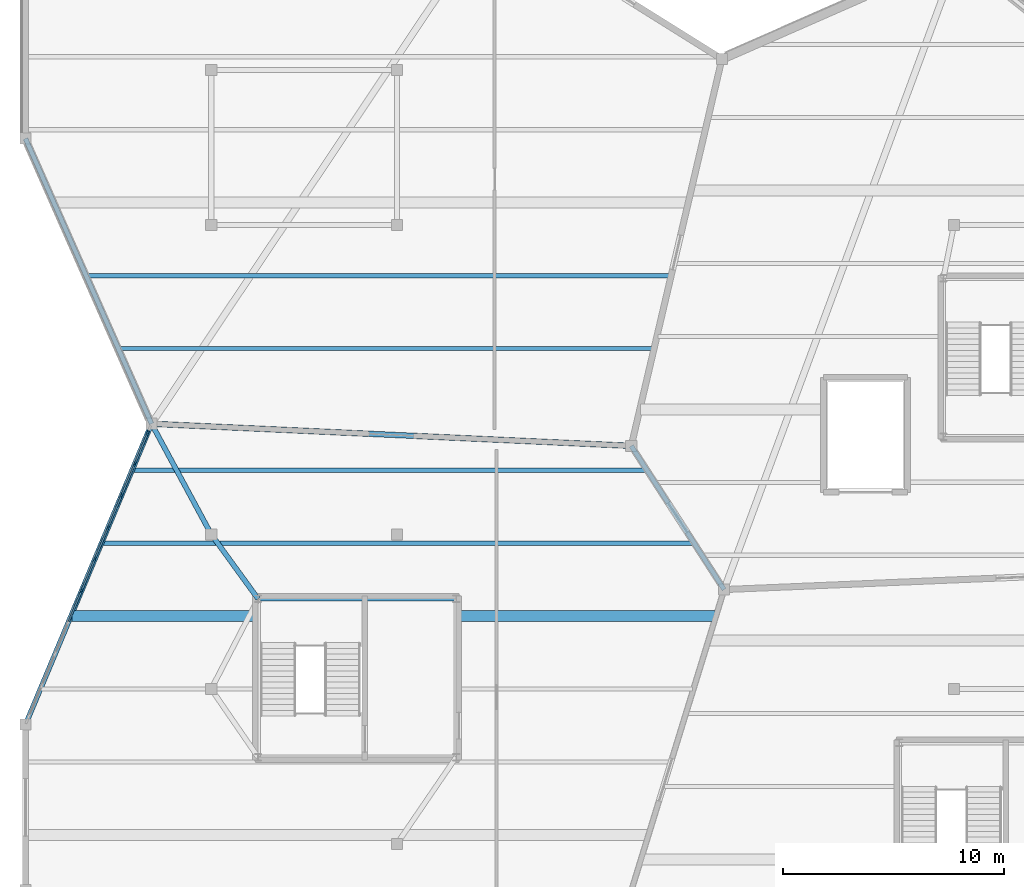
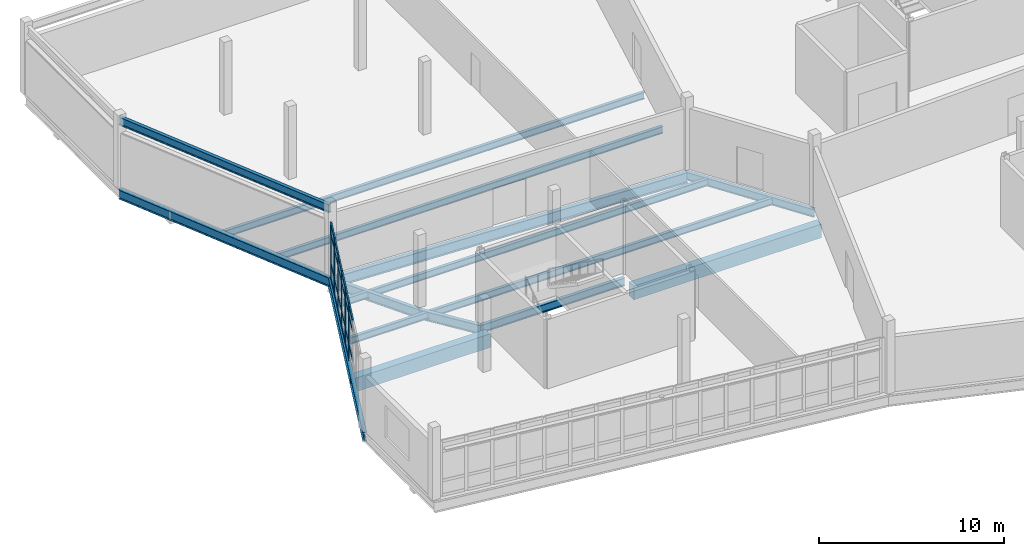
# One storey, part 53 of 134: 29 members, 14 beams, 1 element without a shape of its own.
"""IFC4 building model written with IfcOpenShell, lengths in metres."""

from ifc_helpers import new_model, si_unit, direction, frame, origin, origin_2d, place, context, subcontext, project, spatial, rectangle, i_section, extrude, material, material_profile, profile_set, type_object, element, aggregate, save


model = new_model("IFC4")

# Units and contexts
model_context = context("Model", 3, precision=1e-05, world=origin(), true_north=direction((0.0, 1.0)))
body_context = subcontext(model_context, "Body", "Model", "MODEL_VIEW")
ifc_project = project(units=[si_unit("LENGTHUNIT", "METRE"), si_unit("AREAUNIT", "SQUARE_METRE"), si_unit("VOLUMEUNIT", "CUBIC_METRE"), si_unit("PLANEANGLEUNIT", "RADIAN"), si_unit("MASSUNIT", "GRAM", prefix="KILO")], contexts=[model_context])

# Site, building, storey
site_placement = place(None, origin())
site = spatial("IfcSite", under=ifc_project, at=site_placement, CompositionType="ELEMENT")
building_placement = place(site_placement, origin())
building = spatial("IfcBuilding", under=site, at=building_placement, Name="Tameran Prism Museum", CompositionType="ELEMENT")
storey_placement = place(building_placement, frame((0.0, 0.0, 5.39990234375)))
storey = spatial("IfcBuildingStorey", under=building, at=storey_placement, Name="L01", CompositionType="ELEMENT", Elevation=5.39990234375)

# Beams
ifc_material_1 = material(Name="Steel Grade 300PLUS (300 MPa)", Category="steel")
ifc_material_profile_1 = material_profile(ifc_material_1, i_section(OverallWidth=0.19091796875, OverallDepth=0.4599609375, WebThickness=0.010009765625, FlangeThickness=0.01611328125, FilletRadius=0.011474609375, at=origin_2d()))
ifc_profile_set_1 = profile_set([ifc_material_profile_1])
beam_type_1 = type_object("IfcBeamType", Name="BM-J460A", PredefinedType="JOIST", material=ifc_profile_set_1)
beam_1_placement = place(storey_placement, frame((3.47998046875, 83.60009765625, -0.489990234375), z_axis=(1.0, 0.0, 0.0), x_axis=(0.0, 1.0, 0.0)))
element("IfcBeam", 1, at=beam_1_placement, inside=storey, type_object=beam_type_1, Name="Floor Beam BM-0639", PredefinedType="JOIST", context=body_context, shape_type="SweptSolid", body=[
    extrude(i_section(OverallWidth=0.19091796875, OverallDepth=0.4599609375, WebThickness=0.010009765625, FlangeThickness=0.01611328125, FilletRadius=0.011474609375, at=origin_2d()), origin(), (0.0, 0.0, 1.0), 26.715087890625),
])
beam_2_placement = place(storey_placement, frame((4.863037109375, 86.89990234375, -0.489990234375), z_axis=(1.0, 0.0, 0.0), x_axis=(0.0, 1.0, 0.0)))
element("IfcBeam", 2, at=beam_2_placement, inside=storey, type_object=beam_type_1, Name="Floor Beam BM-0640", PredefinedType="JOIST", context=body_context, shape_type="SweptSolid", body=[
    extrude(i_section(OverallWidth=0.19091796875, OverallDepth=0.4599609375, WebThickness=0.010009765625, FlangeThickness=0.01611328125, FilletRadius=0.011474609375, at=origin_2d()), origin(), (0.0, 0.0, 1.0), 23.199951171875),
])
beam_3_placement = place(storey_placement, frame((4.240966796875, 92.39990234375, -0.489990234375), z_axis=(1.0, 0.0, 0.0), x_axis=(0.0, 1.0, 0.0)))
element("IfcBeam", 3, at=beam_3_placement, inside=storey, type_object=beam_type_1, Name="Floor Beam BM-0641", PredefinedType="JOIST", context=body_context, shape_type="SweptSolid", body=[
    extrude(i_section(OverallWidth=0.19091796875, OverallDepth=0.4599609375, WebThickness=0.010009765625, FlangeThickness=0.01611328125, FilletRadius=0.011474609375, at=origin_2d()), origin(), (0.0, 0.0, 1.0), 24.14892578125),
])
beam_4_placement = place(storey_placement, frame((2.782958984375, 95.699951171875, -0.489990234375), z_axis=(1.0, 0.0, 0.0), x_axis=(0.0, 1.0, 0.0)))
element("IfcBeam", 4, at=beam_4_placement, inside=storey, type_object=beam_type_1, Name="Floor Beam BM-0642", PredefinedType="JOIST", context=body_context, shape_type="SweptSolid", body=[
    extrude(i_section(OverallWidth=0.19091796875, OverallDepth=0.4599609375, WebThickness=0.010009765625, FlangeThickness=0.01611328125, FilletRadius=0.011474609375, at=origin_2d()), origin(), (0.0, 0.0, 1.0), 26.380126953125),
])
ifc_material_2 = material(Name="Concrete N40 (40 MPa)", Category="concrete")
ifc_material_profile_2 = material_profile(ifc_material_2, rectangle(XDim=0.5, YDim=0.89990234375, at=origin_2d()))
ifc_profile_set_2 = profile_set([ifc_material_profile_2])
beam_type_2 = type_object("IfcBeamType", Name="BM-RC900", PredefinedType="BEAM", material=ifc_profile_set_2)
beam_5_placement = place(storey_placement, frame((2.096923828125, 80.300048828125, -0.7099609375), z_axis=(1.0, 0.0, 0.0), x_axis=(0.0, 1.0, 0.0)))
element("IfcBeam", 5, at=beam_5_placement, inside=storey, type_object=beam_type_2, Name="Floor Beam BM-0637", PredefinedType="BEAM", context=body_context, shape_type="SweptSolid", body=[
    extrude(rectangle(XDim=0.5, YDim=0.89990234375, at=origin_2d()), origin(), (0.0, 0.0, 1.0), 8.423095703125),
])
beam_6_placement = place(storey_placement, frame((19.47998046875, 80.300048828125, -0.7099609375), z_axis=(1.0, 0.0, 0.0), x_axis=(0.0, 1.0, 0.0)))
element("IfcBeam", 6, at=beam_6_placement, inside=storey, type_object=beam_type_2, Name="Floor Beam BM-0638", PredefinedType="BEAM", context=body_context, shape_type="SweptSolid", body=[
    extrude(rectangle(XDim=0.5, YDim=0.89990234375, at=origin_2d()), origin(), (0.0, 0.0, 1.0), 11.7080078125),
])
ifc_material_3 = material(Name="Steel Grade 300PLUS (300 MPa)", Category="steel")
ifc_material_profile_3 = material_profile(ifc_material_3, i_section(OverallWidth=0.208984375, OverallDepth=0.528076171875, WebThickness=0.009521484375, FlangeThickness=0.01318359375, FilletRadius=0.013916015625, at=origin_2d()))
ifc_profile_set_3 = profile_set([ifc_material_profile_3])
beam_type_3 = type_object("IfcBeamType", Name="BM-SP530B", PredefinedType="SPANDREL", material=ifc_profile_set_3)
beam_7_placement = place(storey_placement, frame((27.39990234375, 88.0, -0.52392578125), z_axis=(0.542733189748, -0.839905164138, 0.0), x_axis=(0.839905164138, 0.542733189748, 0.0)))
element("IfcBeam", 7, at=beam_7_placement, inside=storey, type_object=beam_type_3, Name="Perimeter Spandrel SP-0419", PredefinedType="SPANDREL", context=body_context, shape_type="SweptSolid", body=[
    extrude(i_section(OverallWidth=0.208984375, OverallDepth=0.528076171875, WebThickness=0.009521484375, FlangeThickness=0.01318359375, FilletRadius=0.013916015625, at=origin_2d()), origin(), (0.0, 0.0, 1.0), 7.739013671875),
])
beam_8_placement = place(storey_placement, frame((0.0, 101.89990234375, 4.2861328125), z_axis=(0.404163511498, -0.914686752924, 0.0), x_axis=(0.914686752924, 0.404163511498, 0.0)))
element("IfcBeam", 8, at=beam_8_placement, inside=storey, type_object=beam_type_3, Name="Roof Ring Beam RB-0432", PredefinedType="SPANDREL", context=body_context, shape_type="SweptSolid", body=[
    extrude(i_section(OverallWidth=0.208984375, OverallDepth=0.528076171875, WebThickness=0.009521484375, FlangeThickness=0.01318359375, FilletRadius=0.013916015625, at=origin_2d()), origin(), (0.0, 0.0, 1.0), 14.10302734375),
])
beam_9_placement = place(storey_placement, frame((19.47998046875, 81.080078125, -0.52392578125), z_axis=(-1.0, 0.0, 0.0), x_axis=(0.0, -1.0, 0.0)))
element("IfcBeam", 9, at=beam_9_placement, inside=storey, type_object=beam_type_3, Name="Core Ring Beam CTB-0472", PredefinedType="SPANDREL", context=body_context, shape_type="SweptSolid", body=[
    extrude(i_section(OverallWidth=0.208984375, OverallDepth=0.528076171875, WebThickness=0.009521484375, FlangeThickness=0.01318359375, FilletRadius=0.013916015625, at=origin_2d()), origin(), (0.0, 0.0, 1.0), 8.9599609375),
])
ifc_material_4 = material(Name="Steel Grade 300PLUS (300 MPa)", Category="steel")
ifc_material_profile_4 = material_profile(ifc_material_4, i_section(OverallWidth=0.22802734375, OverallDepth=0.60205078125, WebThickness=0.010498046875, FlangeThickness=0.014892578125, FilletRadius=0.013916015625, at=origin_2d()))
ifc_profile_set_4 = profile_set([ifc_material_profile_4])
beam_type_4 = type_object("IfcBeamType", Name="BM-SP610", PredefinedType="SPANDREL", material=ifc_profile_set_4)
beam_10_placement = place(storey_placement, frame((5.699951171875, 89.0, -0.560791015625), z_axis=(-0.386535452216, -0.922274549242, 0.0), x_axis=(0.922274549242, -0.386535452216, 0.0)))
element("IfcBeam", 10, at=beam_10_placement, inside=storey, type_object=beam_type_4, Name="Perimeter Spandrel SP-0424", PredefinedType="SPANDREL", context=body_context, shape_type="SweptSolid", body=[
    extrude(i_section(OverallWidth=0.22802734375, OverallDepth=0.60205078125, WebThickness=0.010498046875, FlangeThickness=0.014892578125, FilletRadius=0.013916015625, at=origin_2d()), origin(), (0.0, 0.0, 1.0), 14.746337890625),
])
beam_11_placement = place(storey_placement, frame((0.0, 101.89990234375, -0.560791015625), z_axis=(0.404163511498, -0.914686752924, 0.0), x_axis=(0.914686752924, 0.404163511498, 0.0)))
element("IfcBeam", 11, at=beam_11_placement, inside=storey, type_object=beam_type_4, Name="Perimeter Spandrel SP-0428", PredefinedType="SPANDREL", context=body_context, shape_type="SweptSolid", body=[
    extrude(i_section(OverallWidth=0.22802734375, OverallDepth=0.60205078125, WebThickness=0.010498046875, FlangeThickness=0.014892578125, FilletRadius=0.013916015625, at=origin_2d()), origin(), (0.0, 0.0, 1.0), 14.10302734375),
])
ifc_material_5 = material(Name="Steel Grade 350 (350 MPa)", Category="steel")
ifc_material_profile_5 = material_profile(ifc_material_5, i_section(OverallWidth=0.25, OverallDepth=0.699951171875, WebThickness=0.010009765625, FlangeThickness=0.02001953125, at=origin_2d()))
ifc_profile_set_5 = profile_set([ifc_material_profile_5])
beam_type_5 = type_object("IfcBeamType", Name="BM-SP700", PredefinedType="SPANDREL", material=ifc_profile_set_5)
beam_12_placement = place(storey_placement, frame((27.39990234375, 88.0, -0.60986328125), z_axis=(-0.998939864331, 0.046034198714, 0.0), x_axis=(-0.046034198714, -0.998939864331, 0.0)))
element("IfcBeam", 12, at=beam_12_placement, inside=storey, type_object=beam_type_5, Name="Perimeter Spandrel SP-0423", PredefinedType="SPANDREL", context=body_context, shape_type="SweptSolid", body=[
    extrude(i_section(OverallWidth=0.25, OverallDepth=0.699951171875, WebThickness=0.010009765625, FlangeThickness=0.02001953125, at=origin_2d()), origin(), (0.0, 0.0, 1.0), 21.722900390625),
])
ifc_material_6 = material(Name="Steel Grade 300PLUS (300 MPa)", Category="steel")
ifc_material_profile_6 = material_profile(ifc_material_6, i_section(OverallWidth=0.22900390625, OverallDepth=0.612060546875, WebThickness=0.011962890625, FlangeThickness=0.01953125, FilletRadius=0.013916015625, at=origin_2d()))
ifc_profile_set_6 = profile_set([ifc_material_profile_6])
beam_type_6 = type_object("IfcBeamType", Name="BM-UB610A", PredefinedType="BEAM", material=ifc_profile_set_6)
beam_13_placement = place(storey_placement, frame((8.39990234375, 84.0, -0.56591796875), z_axis=(0.58754394492, -0.809192259471, 0.0), x_axis=(0.809192259471, 0.58754394492, 0.0)))
element("IfcBeam", 13, at=beam_13_placement, inside=storey, type_object=beam_type_6, Name="Frame Tie Girder FG-1351", PredefinedType="BEAM", context=body_context, shape_type="SweptSolid", body=[
    extrude(i_section(OverallWidth=0.22900390625, OverallDepth=0.612060546875, WebThickness=0.011962890625, FlangeThickness=0.01953125, FilletRadius=0.013916015625, at=origin_2d()), origin(), (0.0, 0.0, 1.0), 3.6083984375),
])
beam_14_placement = place(storey_placement, frame((8.39990234375, 84.0, -0.56591796875), z_axis=(-0.47514226184, 0.879908990188, 0.0), x_axis=(-0.879908990188, -0.47514226184, 0.0)))
element("IfcBeam", 14, at=beam_14_placement, inside=storey, type_object=beam_type_6, Name="Frame Tie Girder FG-1352", PredefinedType="BEAM", context=body_context, shape_type="SweptSolid", body=[
    extrude(i_section(OverallWidth=0.22900390625, OverallDepth=0.612060546875, WebThickness=0.011962890625, FlangeThickness=0.01953125, FilletRadius=0.013916015625, at=origin_2d()), origin(), (0.0, 0.0, 1.0), 5.682373046875),
])

# Curtain wall, members
ifc_material_7 = material(Name="Anodised Aluminium 6063-T6 and Cyclone Solar Glass", Category="aluminium")
curtain_wall_type = type_object("IfcCurtainWallType", Name="CW-FAC-1399x362", PredefinedType="USERDEFINED", material=ifc_material_7)
curtain_wall_placement = place(storey_placement, origin())
curtain_wall = element("IfcCurtainWall", 15, at=curtain_wall_placement, inside=storey, type_object=curtain_wall_type, Name="Unitised Curtain Wall CW-094", ObjectType="UNITISED CURTAIN WALL", PredefinedType="USERDEFINED")
ifc_material_8 = material(Name="Anodised Aluminium Alloy 6063-T6", Category="aluminium")
ifc_material_profile_7 = material_profile(ifc_material_8, rectangle(XDim=0.080078125, YDim=0.219970703125, at=origin_2d()))
ifc_profile_set_7 = profile_set([ifc_material_profile_7])
member_type_1 = type_object("IfcMemberType", Name="CW-MUL-D", PredefinedType="MULLION", material=ifc_profile_set_7)
member_1_placement = place(storey_placement, frame((2.5380859375, 81.455810546875, 0.0), z_axis=(0.0, 0.0, 1.0), x_axis=(-0.922251949595, 0.386589370609, 0.0)))
member_1 = element("IfcMember", 16, at=member_1_placement, type_object=member_type_1, Name="CW-094 mullion 5", PredefinedType="MULLION", context=body_context, shape_type="SweptSolid", body=[
    extrude(rectangle(XDim=0.080078125, YDim=0.219970703125, at=origin_2d()), origin(), (0.0, 0.0, 1.0), 3.6201171875),
])
member_2_placement = place(storey_placement, frame((3.138916015625, 82.88916015625, 0.0), z_axis=(0.0, 0.0, 1.0), x_axis=(-0.922251949595, 0.386589370609, 0.0)))
member_2 = element("IfcMember", 17, at=member_2_placement, type_object=member_type_1, Name="CW-094 mullion 6", PredefinedType="MULLION", context=body_context, shape_type="SweptSolid", body=[
    extrude(rectangle(XDim=0.080078125, YDim=0.219970703125, at=origin_2d()), origin(), (0.0, 0.0, 1.0), 3.6201171875),
])
member_3_placement = place(storey_placement, frame((3.73974609375, 84.322265625, 0.0), z_axis=(0.0, 0.0, 1.0), x_axis=(-0.922251949595, 0.386589370609, 0.0)))
member_3 = element("IfcMember", 18, at=member_3_placement, type_object=member_type_1, Name="CW-094 mullion 7", PredefinedType="MULLION", context=body_context, shape_type="SweptSolid", body=[
    extrude(rectangle(XDim=0.080078125, YDim=0.219970703125, at=origin_2d()), origin(), (0.0, 0.0, 1.0), 3.6201171875),
])
member_4_placement = place(storey_placement, frame((4.34033203125, 85.755615234375, 0.0), z_axis=(0.0, 0.0, 1.0), x_axis=(-0.922251949595, 0.386589370609, 0.0)))
member_4 = element("IfcMember", 19, at=member_4_placement, type_object=member_type_1, Name="CW-094 mullion 8", PredefinedType="MULLION", context=body_context, shape_type="SweptSolid", body=[
    extrude(rectangle(XDim=0.080078125, YDim=0.219970703125, at=origin_2d()), origin(), (0.0, 0.0, 1.0), 3.6201171875),
])
member_5_placement = place(storey_placement, frame((4.941162109375, 87.188720703125, 0.0), z_axis=(0.0, 0.0, 1.0), x_axis=(-0.922251949595, 0.386589370609, 0.0)))
member_5 = element("IfcMember", 20, at=member_5_placement, type_object=member_type_1, Name="CW-094 mullion 9", PredefinedType="MULLION", context=body_context, shape_type="SweptSolid", body=[
    extrude(rectangle(XDim=0.080078125, YDim=0.219970703125, at=origin_2d()), origin(), (0.0, 0.0, 1.0), 3.6201171875),
])
member_6_placement = place(storey_placement, frame((5.526611328125, 88.585205078125, 0.0), z_axis=(0.0, 0.0, 1.0), x_axis=(-0.922251949595, 0.386589370609, 0.0)))
member_6 = element("IfcMember", 21, at=member_6_placement, type_object=member_type_1, Name="CW-094 mullion 10", PredefinedType="MULLION", context=body_context, shape_type="SweptSolid", body=[
    extrude(rectangle(XDim=0.080078125, YDim=0.219970703125, at=origin_2d()), origin(), (0.0, 0.0, 1.0), 3.6201171875),
])
ifc_material_9 = material(Name="Anodised Aluminium Alloy 6063-T6", Category="aluminium")
ifc_material_profile_8 = material_profile(ifc_material_9, rectangle(XDim=0.080078125, YDim=0.195068359375, at=origin_2d()))
ifc_profile_set_8 = profile_set([ifc_material_profile_8])
member_type_2 = type_object("IfcMemberType", Name="CW-TRN-D", PredefinedType="USERDEFINED", material=ifc_profile_set_8)
member_7_placement = place(storey_placement, frame((1.952880859375, 80.0595703125, 1.0), z_axis=(0.386590353567, 0.922251537558, 0.0), x_axis=(-0.922251537558, 0.386590353567, 0.0)))
member_7 = element("IfcMember", 22, at=member_7_placement, type_object=member_type_2, Name="CW-094 transom 4.2", ObjectType="TRANSOM", PredefinedType="USERDEFINED", context=body_context, shape_type="SweptSolid", body=[
    extrude(rectangle(XDim=0.080078125, YDim=0.195068359375, at=origin_2d()), origin(), (0.0, 0.0, 1.0), 1.473876953125),
])
member_8_placement = place(storey_placement, frame((1.952880859375, 80.0595703125, 2.940185546875), z_axis=(0.386590353567, 0.922251537558, 0.0), x_axis=(-0.922251537558, 0.386590353567, 0.0)))
member_8 = element("IfcMember", 23, at=member_8_placement, type_object=member_type_2, Name="CW-094 transom 4.3", ObjectType="TRANSOM", PredefinedType="USERDEFINED", context=body_context, shape_type="SweptSolid", body=[
    extrude(rectangle(XDim=0.080078125, YDim=0.195068359375, at=origin_2d()), origin(), (0.0, 0.0, 1.0), 1.473876953125),
])
member_9_placement = place(storey_placement, frame((1.952880859375, 80.0595703125, 3.580078125), z_axis=(0.386590353567, 0.922251537558, 0.0), x_axis=(-0.922251537558, 0.386590353567, 0.0)))
member_9 = element("IfcMember", 24, at=member_9_placement, type_object=member_type_2, Name="CW-094 transom 4.4", ObjectType="TRANSOM", PredefinedType="USERDEFINED", context=body_context, shape_type="SweptSolid", body=[
    extrude(rectangle(XDim=0.080078125, YDim=0.195068359375, at=origin_2d()), origin(), (0.0, 0.0, 1.0), 1.473876953125),
])
member_10_placement = place(storey_placement, frame((2.553466796875, 81.49267578125, 0.0400390625), z_axis=(0.38667216001, 0.922217241583, 0.0), x_axis=(-0.922217241583, 0.38667216001, 0.0)))
member_10 = element("IfcMember", 25, at=member_10_placement, type_object=member_type_2, Name="CW-094 transom 5.1", ObjectType="TRANSOM", PredefinedType="USERDEFINED", context=body_context, shape_type="SweptSolid", body=[
    extrude(rectangle(XDim=0.080078125, YDim=0.195068359375, at=origin_2d()), origin(), (0.0, 0.0, 1.0), 1.474365234375),
])
member_11_placement = place(storey_placement, frame((2.553466796875, 81.49267578125, 1.0), z_axis=(0.38667216001, 0.922217241583, 0.0), x_axis=(-0.922217241583, 0.38667216001, 0.0)))
member_11 = element("IfcMember", 26, at=member_11_placement, type_object=member_type_2, Name="CW-094 transom 5.2", ObjectType="TRANSOM", PredefinedType="USERDEFINED", context=body_context, shape_type="SweptSolid", body=[
    extrude(rectangle(XDim=0.080078125, YDim=0.195068359375, at=origin_2d()), origin(), (0.0, 0.0, 1.0), 1.474365234375),
])
member_12_placement = place(storey_placement, frame((2.553466796875, 81.49267578125, 2.940185546875), z_axis=(0.38667216001, 0.922217241583, 0.0), x_axis=(-0.922217241583, 0.38667216001, 0.0)))
member_12 = element("IfcMember", 27, at=member_12_placement, type_object=member_type_2, Name="CW-094 transom 5.3", ObjectType="TRANSOM", PredefinedType="USERDEFINED", context=body_context, shape_type="SweptSolid", body=[
    extrude(rectangle(XDim=0.080078125, YDim=0.195068359375, at=origin_2d()), origin(), (0.0, 0.0, 1.0), 1.474365234375),
])
member_13_placement = place(storey_placement, frame((2.553466796875, 81.49267578125, 3.580078125), z_axis=(0.38667216001, 0.922217241583, 0.0), x_axis=(-0.922217241583, 0.38667216001, 0.0)))
member_13 = element("IfcMember", 28, at=member_13_placement, type_object=member_type_2, Name="CW-094 transom 5.4", ObjectType="TRANSOM", PredefinedType="USERDEFINED", context=body_context, shape_type="SweptSolid", body=[
    extrude(rectangle(XDim=0.080078125, YDim=0.195068359375, at=origin_2d()), origin(), (0.0, 0.0, 1.0), 1.474365234375),
])
member_14_placement = place(storey_placement, frame((3.154296875, 82.926025390625, 0.0400390625), z_axis=(0.386590353567, 0.922251537558, 0.0), x_axis=(-0.922251537558, 0.386590353567, 0.0)))
member_14 = element("IfcMember", 29, at=member_14_placement, type_object=member_type_2, Name="CW-094 transom 6.1", ObjectType="TRANSOM", PredefinedType="USERDEFINED", context=body_context, shape_type="SweptSolid", body=[
    extrude(rectangle(XDim=0.080078125, YDim=0.195068359375, at=origin_2d()), origin(), (0.0, 0.0, 1.0), 1.473876953125),
])
member_15_placement = place(storey_placement, frame((3.154296875, 82.926025390625, 1.0), z_axis=(0.386590353567, 0.922251537558, 0.0), x_axis=(-0.922251537558, 0.386590353567, 0.0)))
member_15 = element("IfcMember", 30, at=member_15_placement, type_object=member_type_2, Name="CW-094 transom 6.2", ObjectType="TRANSOM", PredefinedType="USERDEFINED", context=body_context, shape_type="SweptSolid", body=[
    extrude(rectangle(XDim=0.080078125, YDim=0.195068359375, at=origin_2d()), origin(), (0.0, 0.0, 1.0), 1.473876953125),
])
member_16_placement = place(storey_placement, frame((3.154296875, 82.926025390625, 2.940185546875), z_axis=(0.386590353567, 0.922251537558, 0.0), x_axis=(-0.922251537558, 0.386590353567, 0.0)))
member_16 = element("IfcMember", 31, at=member_16_placement, type_object=member_type_2, Name="CW-094 transom 6.3", ObjectType="TRANSOM", PredefinedType="USERDEFINED", context=body_context, shape_type="SweptSolid", body=[
    extrude(rectangle(XDim=0.080078125, YDim=0.195068359375, at=origin_2d()), origin(), (0.0, 0.0, 1.0), 1.473876953125),
])
member_17_placement = place(storey_placement, frame((3.154296875, 82.926025390625, 3.580078125), z_axis=(0.386590353567, 0.922251537558, 0.0), x_axis=(-0.922251537558, 0.386590353567, 0.0)))
member_17 = element("IfcMember", 32, at=member_17_placement, type_object=member_type_2, Name="CW-094 transom 6.4", ObjectType="TRANSOM", PredefinedType="USERDEFINED", context=body_context, shape_type="SweptSolid", body=[
    extrude(rectangle(XDim=0.080078125, YDim=0.195068359375, at=origin_2d()), origin(), (0.0, 0.0, 1.0), 1.473876953125),
])
member_18_placement = place(storey_placement, frame((3.755126953125, 84.359130859375, 0.0400390625), z_axis=(0.386531307625, 0.922276286275, 0.0), x_axis=(-0.922276286275, 0.386531307625, 0.0)))
member_18 = element("IfcMember", 33, at=member_18_placement, type_object=member_type_2, Name="CW-094 transom 7.1", ObjectType="TRANSOM", PredefinedType="USERDEFINED", context=body_context, shape_type="SweptSolid", body=[
    extrude(rectangle(XDim=0.080078125, YDim=0.195068359375, at=origin_2d()), origin(), (0.0, 0.0, 1.0), 1.47412109375),
])
member_19_placement = place(storey_placement, frame((3.755126953125, 84.359130859375, 1.0), z_axis=(0.386531307625, 0.922276286275, 0.0), x_axis=(-0.922276286275, 0.386531307625, 0.0)))
member_19 = element("IfcMember", 34, at=member_19_placement, type_object=member_type_2, Name="CW-094 transom 7.2", ObjectType="TRANSOM", PredefinedType="USERDEFINED", context=body_context, shape_type="SweptSolid", body=[
    extrude(rectangle(XDim=0.080078125, YDim=0.195068359375, at=origin_2d()), origin(), (0.0, 0.0, 1.0), 1.47412109375),
])
member_20_placement = place(storey_placement, frame((3.755126953125, 84.359130859375, 2.940185546875), z_axis=(0.386531307625, 0.922276286275, 0.0), x_axis=(-0.922276286275, 0.386531307625, 0.0)))
member_20 = element("IfcMember", 35, at=member_20_placement, type_object=member_type_2, Name="CW-094 transom 7.3", ObjectType="TRANSOM", PredefinedType="USERDEFINED", context=body_context, shape_type="SweptSolid", body=[
    extrude(rectangle(XDim=0.080078125, YDim=0.195068359375, at=origin_2d()), origin(), (0.0, 0.0, 1.0), 1.47412109375),
])
member_21_placement = place(storey_placement, frame((3.755126953125, 84.359130859375, 3.580078125), z_axis=(0.386531307625, 0.922276286275, 0.0), x_axis=(-0.922276286275, 0.386531307625, 0.0)))
member_21 = element("IfcMember", 36, at=member_21_placement, type_object=member_type_2, Name="CW-094 transom 7.4", ObjectType="TRANSOM", PredefinedType="USERDEFINED", context=body_context, shape_type="SweptSolid", body=[
    extrude(rectangle(XDim=0.080078125, YDim=0.195068359375, at=origin_2d()), origin(), (0.0, 0.0, 1.0), 1.47412109375),
])
member_22_placement = place(storey_placement, frame((4.35595703125, 85.79248046875, 0.0400390625), z_axis=(0.386590353567, 0.922251537558, 0.0), x_axis=(-0.922251537558, 0.386590353567, 0.0)))
member_22 = element("IfcMember", 37, at=member_22_placement, type_object=member_type_2, Name="CW-094 transom 8.1", ObjectType="TRANSOM", PredefinedType="USERDEFINED", context=body_context, shape_type="SweptSolid", body=[
    extrude(rectangle(XDim=0.080078125, YDim=0.195068359375, at=origin_2d()), origin(), (0.0, 0.0, 1.0), 1.473876953125),
])
member_23_placement = place(storey_placement, frame((4.35595703125, 85.79248046875, 1.0), z_axis=(0.386590353567, 0.922251537558, 0.0), x_axis=(-0.922251537558, 0.386590353567, 0.0)))
member_23 = element("IfcMember", 38, at=member_23_placement, type_object=member_type_2, Name="CW-094 transom 8.2", ObjectType="TRANSOM", PredefinedType="USERDEFINED", context=body_context, shape_type="SweptSolid", body=[
    extrude(rectangle(XDim=0.080078125, YDim=0.195068359375, at=origin_2d()), origin(), (0.0, 0.0, 1.0), 1.473876953125),
])
member_24_placement = place(storey_placement, frame((4.35595703125, 85.79248046875, 2.940185546875), z_axis=(0.386590353567, 0.922251537558, 0.0), x_axis=(-0.922251537558, 0.386590353567, 0.0)))
member_24 = element("IfcMember", 39, at=member_24_placement, type_object=member_type_2, Name="CW-094 transom 8.3", ObjectType="TRANSOM", PredefinedType="USERDEFINED", context=body_context, shape_type="SweptSolid", body=[
    extrude(rectangle(XDim=0.080078125, YDim=0.195068359375, at=origin_2d()), origin(), (0.0, 0.0, 1.0), 1.473876953125),
])
member_25_placement = place(storey_placement, frame((4.35595703125, 85.79248046875, 3.580078125), z_axis=(0.386590353567, 0.922251537558, 0.0), x_axis=(-0.922251537558, 0.386590353567, 0.0)))
member_25 = element("IfcMember", 40, at=member_25_placement, type_object=member_type_2, Name="CW-094 transom 8.4", ObjectType="TRANSOM", PredefinedType="USERDEFINED", context=body_context, shape_type="SweptSolid", body=[
    extrude(rectangle(XDim=0.080078125, YDim=0.195068359375, at=origin_2d()), origin(), (0.0, 0.0, 1.0), 1.473876953125),
])
member_26_placement = place(storey_placement, frame((4.956787109375, 87.2255859375, 0.0400390625), z_axis=(0.386427769855, 0.922319672719, 0.0), x_axis=(-0.922319672719, 0.386427769855, 0.0)))
member_26 = element("IfcMember", 41, at=member_26_placement, type_object=member_type_2, Name="CW-094 transom 9.1", ObjectType="TRANSOM", PredefinedType="USERDEFINED", context=body_context, shape_type="SweptSolid", body=[
    extrude(rectangle(XDim=0.080078125, YDim=0.195068359375, at=origin_2d()), origin(), (0.0, 0.0, 1.0), 1.43408203125),
])
member_27_placement = place(storey_placement, frame((4.956787109375, 87.2255859375, 1.0), z_axis=(0.386427769855, 0.922319672719, 0.0), x_axis=(-0.922319672719, 0.386427769855, 0.0)))
member_27 = element("IfcMember", 42, at=member_27_placement, type_object=member_type_2, Name="CW-094 transom 9.2", ObjectType="TRANSOM", PredefinedType="USERDEFINED", context=body_context, shape_type="SweptSolid", body=[
    extrude(rectangle(XDim=0.080078125, YDim=0.195068359375, at=origin_2d()), origin(), (0.0, 0.0, 1.0), 1.43408203125),
])
member_28_placement = place(storey_placement, frame((4.956787109375, 87.2255859375, 2.940185546875), z_axis=(0.386427769855, 0.922319672719, 0.0), x_axis=(-0.922319672719, 0.386427769855, 0.0)))
member_28 = element("IfcMember", 43, at=member_28_placement, type_object=member_type_2, Name="CW-094 transom 9.3", ObjectType="TRANSOM", PredefinedType="USERDEFINED", context=body_context, shape_type="SweptSolid", body=[
    extrude(rectangle(XDim=0.080078125, YDim=0.195068359375, at=origin_2d()), origin(), (0.0, 0.0, 1.0), 1.43408203125),
])
member_29_placement = place(storey_placement, frame((4.956787109375, 87.2255859375, 3.580078125), z_axis=(0.386427769855, 0.922319672719, 0.0), x_axis=(-0.922319672719, 0.386427769855, 0.0)))
member_29 = element("IfcMember", 44, at=member_29_placement, type_object=member_type_2, Name="CW-094 transom 9.4", ObjectType="TRANSOM", PredefinedType="USERDEFINED", context=body_context, shape_type="SweptSolid", body=[
    extrude(rectangle(XDim=0.080078125, YDim=0.195068359375, at=origin_2d()), origin(), (0.0, 0.0, 1.0), 1.43408203125),
])
aggregate(curtain_wall, [member_1, member_2, member_3, member_4, member_5, member_6, member_7, member_8, member_9, member_10, member_11, member_12, member_13, member_14, member_15, member_16, member_17, member_18, member_19, member_20, member_21, member_22, member_23, member_24, member_25, member_26, member_27, member_28, member_29])

save(model, "model.ifc")
